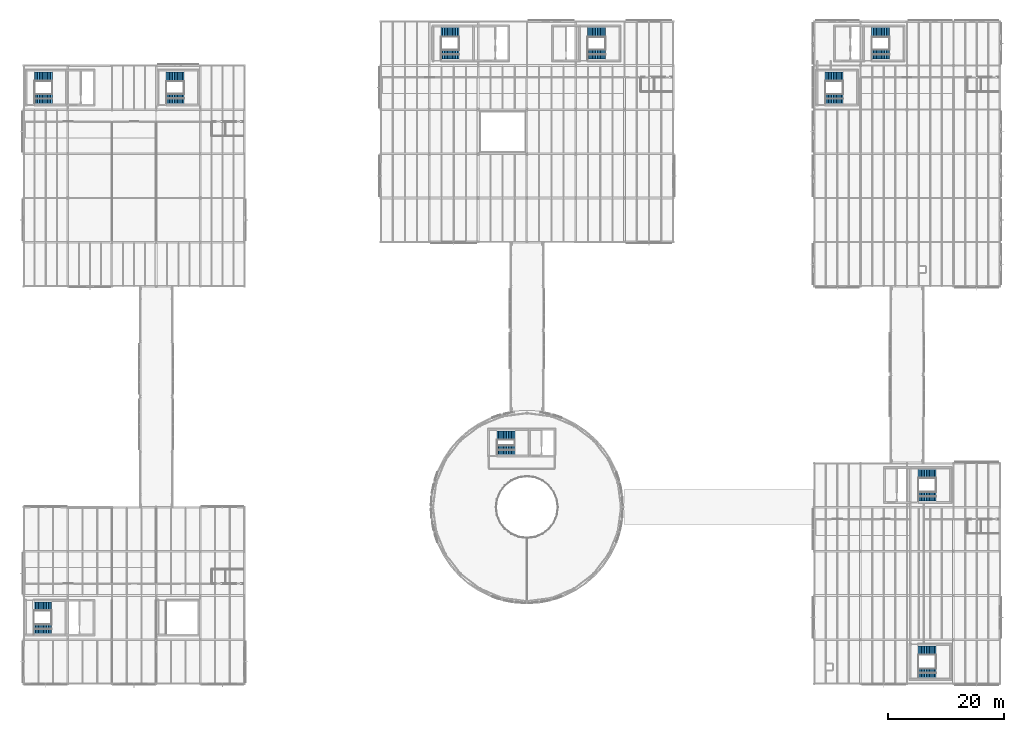
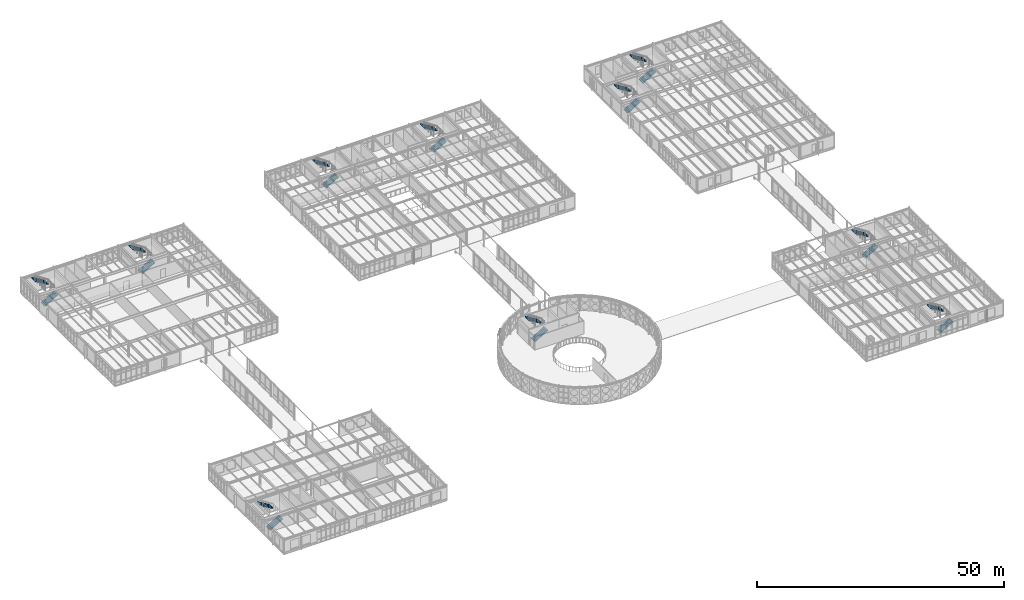
# One storey, part 170 of 189: 20 stair flights, 10 elements without a shape of their own.
"""IFC4 building model written with IfcOpenShell, lengths in metres."""

from ifc_helpers import new_model, si_unit, direction, frame, origin, place, context, subcontext, project, spatial, polyline, outline, extrude, material, type_object, element, aggregate, save


model = new_model("IFC4")

# Units and contexts
model_context = context("Model", 3, precision=1e-05, world=origin(), true_north=direction((0.0, 1.0)))
body_context = subcontext(model_context, "Body", "Model", "MODEL_VIEW")
ifc_project = project(units=[si_unit("LENGTHUNIT", "METRE"), si_unit("AREAUNIT", "SQUARE_METRE"), si_unit("VOLUMEUNIT", "CUBIC_METRE"), si_unit("PLANEANGLEUNIT", "RADIAN"), si_unit("MASSUNIT", "GRAM", prefix="KILO")], contexts=[model_context])

# Site, building, storey
site_placement = place(None, origin())
site = spatial("IfcSite", under=ifc_project, at=site_placement, CompositionType="ELEMENT")
building_placement = place(site_placement, origin())
building = spatial("IfcBuilding", under=site, at=building_placement, Name="Montecoro Central Library", CompositionType="ELEMENT")
storey_placement = place(building_placement, frame((0.0, 0.0, 9.179931640625)))
storey = spatial("IfcBuildingStorey", under=building, at=storey_placement, Name="L02", CompositionType="ELEMENT", Elevation=9.179931640625)

# Stair, stair flights
ifc_material = material(Name="Concrete C35/45", Category="concrete")
stair_type_1 = type_object("IfcStairType", Name="STR-RET-150", PredefinedType="HALF_TURN_STAIR", material=ifc_material)
stair_1_placement = place(storey_placement, origin())
stair_1 = element("IfcStair", 1, at=stair_1_placement, inside=storey, type_object=stair_type_1, Name="C1-L02-STR", PredefinedType="HALF_TURN_STAIR")
stair_flight_type_1 = type_object("IfcStairFlightType", Name="SFL-01", PredefinedType="STRAIGHT", material=ifc_material)
stair_flight_1_placement = place(storey_placement, frame((86.419921875, 45.25, 0.0), z_axis=(0.0, 0.0, 1.0), x_axis=(1.0, 0.0, 0.0)))
stair_flight_1 = element("IfcStairFlight", 2, at=stair_flight_1_placement, type_object=stair_flight_type_1, Name="ST-01 flight 1", NumberOfRisers=12, NumberOfTreads=11, PredefinedType="STRAIGHT", RiserHeight=0.17, TreadLength=0.28, context=body_context, shape_type="SweptSolid", body=[
    extrude(outline(polyline([(0.0, 0.0), (0.0, 0.169921875), (0.280029296875, 0.169921875), (0.280029296875, 0.340087890625), (0.56005859375, 0.340087890625), (0.56005859375, 0.510009765625), (0.840087890625, 0.510009765625), (0.840087890625, 0.679931640625), (1.1201171875, 0.679931640625), (1.1201171875, 0.85009765625), (1.39990234375, 0.85009765625), (1.39990234375, 1.02001953125), (1.679931640625, 1.02001953125), (1.679931640625, 1.18994140625), (1.9599609375, 1.18994140625), (1.9599609375, 1.360107421875), (2.239990234375, 1.360107421875), (2.239990234375, 1.530029296875), (2.52001953125, 1.530029296875), (2.52001953125, 1.699951171875), (2.800048828125, 1.699951171875), (2.800048828125, 1.8701171875), (3.080078125, 1.8701171875), (3.080078125, 2.0400390625), (3.080078125, 1.682861328125), (0.30810546875, 0.0), (0.0, 0.0)])), frame((0.0, 0.75, 0.0), z_axis=(0.0, -1.0, 0.0), x_axis=(1.0, 0.0, 0.0)), (0.0, 0.0, 1.0), 1.5),
])
stair_flight_2_placement = place(storey_placement, frame((89.5, 47.75, 2.0400390625), z_axis=(0.0, 0.0, 1.0), x_axis=(-1.0, 0.0, 0.0)))
stair_flight_2 = element("IfcStairFlight", 3, at=stair_flight_2_placement, type_object=stair_flight_type_1, Name="ST-01 flight 2", NumberOfRisers=12, NumberOfTreads=11, PredefinedType="STRAIGHT", RiserHeight=0.17, TreadLength=0.28, context=body_context, shape_type="SweptSolid", body=[
    extrude(outline(polyline([(0.0, 0.0), (0.0, 0.169921875), (0.280029296875, 0.169921875), (0.280029296875, 0.340087890625), (0.56005859375, 0.340087890625), (0.56005859375, 0.510009765625), (0.840087890625, 0.510009765625), (0.840087890625, 0.679931640625), (1.1201171875, 0.679931640625), (1.1201171875, 0.85009765625), (1.39990234375, 0.85009765625), (1.39990234375, 1.02001953125), (1.679931640625, 1.02001953125), (1.679931640625, 1.18994140625), (1.9599609375, 1.18994140625), (1.9599609375, 1.360107421875), (2.239990234375, 1.360107421875), (2.239990234375, 1.530029296875), (2.52001953125, 1.530029296875), (2.52001953125, 1.699951171875), (2.800048828125, 1.699951171875), (2.800048828125, 1.8701171875), (3.080078125, 1.8701171875), (3.080078125, 2.0400390625), (3.080078125, 1.682861328125), (0.30810546875, 0.0), (0.0, 0.0)])), frame((0.0, 0.75, 0.0), z_axis=(0.0, -1.0, 0.0), x_axis=(1.0, 0.0, 0.0)), (0.0, 0.0, 1.0), 1.5),
])
aggregate(stair_1, [stair_flight_1, stair_flight_2])

stair_2_placement = place(storey_placement, origin())
stair_2 = element("IfcStair", 4, at=stair_2_placement, inside=storey, type_object=stair_type_1, Name="C4-L02-STR", PredefinedType="HALF_TURN_STAIR")
stair_flight_3_placement = place(storey_placement, frame((6.719970703125, 14.449951171875, 0.0), z_axis=(0.0, 0.0, 1.0), x_axis=(1.0, 0.0, 0.0)))
stair_flight_3 = element("IfcStairFlight", 5, at=stair_flight_3_placement, type_object=stair_flight_type_1, Name="ST-04 flight 1", NumberOfRisers=12, NumberOfTreads=11, PredefinedType="STRAIGHT", RiserHeight=0.17, TreadLength=0.28, context=body_context, shape_type="SweptSolid", body=[
    extrude(outline(polyline([(0.0, 0.0), (0.0, 0.169921875), (0.280029296875, 0.169921875), (0.280029296875, 0.340087890625), (0.56005859375, 0.340087890625), (0.56005859375, 0.510009765625), (0.840087890625, 0.510009765625), (0.840087890625, 0.679931640625), (1.1201171875, 0.679931640625), (1.1201171875, 0.85009765625), (1.39990234375, 0.85009765625), (1.39990234375, 1.02001953125), (1.679931640625, 1.02001953125), (1.679931640625, 1.18994140625), (1.9599609375, 1.18994140625), (1.9599609375, 1.360107421875), (2.239990234375, 1.360107421875), (2.239990234375, 1.530029296875), (2.52001953125, 1.530029296875), (2.52001953125, 1.699951171875), (2.800048828125, 1.699951171875), (2.800048828125, 1.8701171875), (3.080078125, 1.8701171875), (3.080078125, 2.0400390625), (3.080078125, 1.682861328125), (0.30810546875, 0.0), (0.0, 0.0)])), frame((0.0, 0.75, 0.0), z_axis=(0.0, -1.0, 0.0), x_axis=(1.0, 0.0, 0.0)), (0.0, 0.0, 1.0), 1.5),
])
stair_flight_4_placement = place(storey_placement, frame((9.800048828125, 18.35009765625, 2.0400390625), z_axis=(0.0, 0.0, 1.0), x_axis=(-1.0, 0.0, 0.0)))
stair_flight_4 = element("IfcStairFlight", 6, at=stair_flight_4_placement, type_object=stair_flight_type_1, Name="ST-04 flight 2", NumberOfRisers=12, NumberOfTreads=11, PredefinedType="STRAIGHT", RiserHeight=0.17, TreadLength=0.28, context=body_context, shape_type="SweptSolid", body=[
    extrude(outline(polyline([(0.0, 0.0), (0.0, 0.169921875), (0.280029296875, 0.169921875), (0.280029296875, 0.340087890625), (0.56005859375, 0.340087890625), (0.56005859375, 0.510009765625), (0.840087890625, 0.510009765625), (0.840087890625, 0.679931640625), (1.1201171875, 0.679931640625), (1.1201171875, 0.85009765625), (1.39990234375, 0.85009765625), (1.39990234375, 1.02001953125), (1.679931640625, 1.02001953125), (1.679931640625, 1.18994140625), (1.9599609375, 1.18994140625), (1.9599609375, 1.360107421875), (2.239990234375, 1.360107421875), (2.239990234375, 1.530029296875), (2.52001953125, 1.530029296875), (2.52001953125, 1.699951171875), (2.800048828125, 1.699951171875), (2.800048828125, 1.8701171875), (3.080078125, 1.8701171875), (3.080078125, 2.0400390625), (3.080078125, 1.682861328125), (0.30810546875, 0.0), (0.0, 0.0)])), frame((0.0, 0.75, 0.0), z_axis=(0.0, -1.0, 0.0), x_axis=(1.0, 0.0, 0.0)), (0.0, 0.0, 1.0), 1.5),
])
aggregate(stair_2, [stair_flight_3, stair_flight_4])

stair_3_placement = place(storey_placement, origin())
stair_3 = element("IfcStair", 7, at=stair_3_placement, inside=storey, type_object=stair_type_1, Name="C7-L02-STR", PredefinedType="HALF_TURN_STAIR")
stair_flight_5_placement = place(storey_placement, frame((158.919921875, 37.25, 0.0), z_axis=(0.0, 0.0, 1.0), x_axis=(1.0, 0.0, 0.0)))
stair_flight_5 = element("IfcStairFlight", 8, at=stair_flight_5_placement, type_object=stair_flight_type_1, Name="ST-07 flight 1", NumberOfRisers=12, NumberOfTreads=11, PredefinedType="STRAIGHT", RiserHeight=0.17, TreadLength=0.28, context=body_context, shape_type="SweptSolid", body=[
    extrude(outline(polyline([(0.0, 0.0), (0.0, 0.169921875), (0.280029296875, 0.169921875), (0.280029296875, 0.340087890625), (0.56005859375, 0.340087890625), (0.56005859375, 0.510009765625), (0.840087890625, 0.510009765625), (0.840087890625, 0.679931640625), (1.1201171875, 0.679931640625), (1.1201171875, 0.85009765625), (1.39990234375, 0.85009765625), (1.39990234375, 1.02001953125), (1.679931640625, 1.02001953125), (1.679931640625, 1.18994140625), (1.9599609375, 1.18994140625), (1.9599609375, 1.360107421875), (2.239990234375, 1.360107421875), (2.239990234375, 1.530029296875), (2.52001953125, 1.530029296875), (2.52001953125, 1.699951171875), (2.800048828125, 1.699951171875), (2.800048828125, 1.8701171875), (3.080078125, 1.8701171875), (3.080078125, 2.0400390625), (3.080078125, 1.682861328125), (0.30810546875, 0.0), (0.0, 0.0)])), frame((0.0, 0.75, 0.0), z_axis=(0.0, -1.0, 0.0), x_axis=(1.0, 0.0, 0.0)), (0.0, 0.0, 1.0), 1.5),
])
stair_flight_6_placement = place(storey_placement, frame((162.0, 41.14990234375, 2.0400390625), z_axis=(0.0, 0.0, 1.0), x_axis=(-1.0, 0.0, 0.0)))
stair_flight_6 = element("IfcStairFlight", 9, at=stair_flight_6_placement, type_object=stair_flight_type_1, Name="ST-07 flight 2", NumberOfRisers=12, NumberOfTreads=11, PredefinedType="STRAIGHT", RiserHeight=0.17, TreadLength=0.28, context=body_context, shape_type="SweptSolid", body=[
    extrude(outline(polyline([(0.0, 0.0), (0.0, 0.169921875), (0.280029296875, 0.169921875), (0.280029296875, 0.340087890625), (0.56005859375, 0.340087890625), (0.56005859375, 0.510009765625), (0.840087890625, 0.510009765625), (0.840087890625, 0.679931640625), (1.1201171875, 0.679931640625), (1.1201171875, 0.85009765625), (1.39990234375, 0.85009765625), (1.39990234375, 1.02001953125), (1.679931640625, 1.02001953125), (1.679931640625, 1.18994140625), (1.9599609375, 1.18994140625), (1.9599609375, 1.360107421875), (2.239990234375, 1.360107421875), (2.239990234375, 1.530029296875), (2.52001953125, 1.530029296875), (2.52001953125, 1.699951171875), (2.800048828125, 1.699951171875), (2.800048828125, 1.8701171875), (3.080078125, 1.8701171875), (3.080078125, 2.0400390625), (3.080078125, 1.682861328125), (0.30810546875, 0.0), (0.0, 0.0)])), frame((0.0, 0.75, 0.0), z_axis=(0.0, -1.0, 0.0), x_axis=(1.0, 0.0, 0.0)), (0.0, 0.0, 1.0), 1.5),
])
aggregate(stair_3, [stair_flight_5, stair_flight_6])

stair_4_placement = place(storey_placement, origin())
stair_4 = element("IfcStair", 10, at=stair_4_placement, inside=storey, type_object=stair_type_1, Name="C10-L02-STR", PredefinedType="HALF_TURN_STAIR")
stair_flight_7_placement = place(storey_placement, frame((158.919921875, 6.85009765625, 0.0), z_axis=(0.0, 0.0, 1.0), x_axis=(1.0, 0.0, 0.0)))
stair_flight_7 = element("IfcStairFlight", 11, at=stair_flight_7_placement, type_object=stair_flight_type_1, Name="ST-10 flight 1", NumberOfRisers=12, NumberOfTreads=11, PredefinedType="STRAIGHT", RiserHeight=0.17, TreadLength=0.28, context=body_context, shape_type="SweptSolid", body=[
    extrude(outline(polyline([(0.0, 0.0), (0.0, 0.169921875), (0.280029296875, 0.169921875), (0.280029296875, 0.340087890625), (0.56005859375, 0.340087890625), (0.56005859375, 0.510009765625), (0.840087890625, 0.510009765625), (0.840087890625, 0.679931640625), (1.1201171875, 0.679931640625), (1.1201171875, 0.85009765625), (1.39990234375, 0.85009765625), (1.39990234375, 1.02001953125), (1.679931640625, 1.02001953125), (1.679931640625, 1.18994140625), (1.9599609375, 1.18994140625), (1.9599609375, 1.360107421875), (2.239990234375, 1.360107421875), (2.239990234375, 1.530029296875), (2.52001953125, 1.530029296875), (2.52001953125, 1.699951171875), (2.800048828125, 1.699951171875), (2.800048828125, 1.8701171875), (3.080078125, 1.8701171875), (3.080078125, 2.0400390625), (3.080078125, 1.682861328125), (0.30810546875, 0.0), (0.0, 0.0)])), frame((0.0, 0.75, 0.0), z_axis=(0.0, -1.0, 0.0), x_axis=(1.0, 0.0, 0.0)), (0.0, 0.0, 1.0), 1.5),
])
stair_flight_8_placement = place(storey_placement, frame((162.0, 10.75, 2.0400390625), z_axis=(0.0, 0.0, 1.0), x_axis=(-1.0, 0.0, 0.0)))
stair_flight_8 = element("IfcStairFlight", 12, at=stair_flight_8_placement, type_object=stair_flight_type_1, Name="ST-10 flight 2", NumberOfRisers=12, NumberOfTreads=11, PredefinedType="STRAIGHT", RiserHeight=0.17, TreadLength=0.28, context=body_context, shape_type="SweptSolid", body=[
    extrude(outline(polyline([(0.0, 0.0), (0.0, 0.169921875), (0.280029296875, 0.169921875), (0.280029296875, 0.340087890625), (0.56005859375, 0.340087890625), (0.56005859375, 0.510009765625), (0.840087890625, 0.510009765625), (0.840087890625, 0.679931640625), (1.1201171875, 0.679931640625), (1.1201171875, 0.85009765625), (1.39990234375, 0.85009765625), (1.39990234375, 1.02001953125), (1.679931640625, 1.02001953125), (1.679931640625, 1.18994140625), (1.9599609375, 1.18994140625), (1.9599609375, 1.360107421875), (2.239990234375, 1.360107421875), (2.239990234375, 1.530029296875), (2.52001953125, 1.530029296875), (2.52001953125, 1.699951171875), (2.800048828125, 1.699951171875), (2.800048828125, 1.8701171875), (3.080078125, 1.8701171875), (3.080078125, 2.0400390625), (3.080078125, 1.682861328125), (0.30810546875, 0.0), (0.0, 0.0)])), frame((0.0, 0.75, 0.0), z_axis=(0.0, -1.0, 0.0), x_axis=(1.0, 0.0, 0.0)), (0.0, 0.0, 1.0), 1.5),
])
aggregate(stair_4, [stair_flight_7, stair_flight_8])

stair_type_2 = type_object("IfcStairType", Name="STR-RET-155", PredefinedType="HALF_TURN_STAIR", material=ifc_material)
stair_5_placement = place(storey_placement, origin())
stair_5 = element("IfcStair", 13, at=stair_5_placement, inside=storey, type_object=stair_type_2, Name="C2-L02-STR", PredefinedType="HALF_TURN_STAIR")
stair_flight_type_2 = type_object("IfcStairFlightType", Name="SFL-02", PredefinedType="STRAIGHT", material=ifc_material)
stair_flight_9_placement = place(storey_placement, frame((76.820068359375, 113.27490234375, 0.0), z_axis=(0.0, 0.0, 1.0), x_axis=(1.0, 0.0, 0.0)))
stair_flight_9 = element("IfcStairFlight", 14, at=stair_flight_9_placement, type_object=stair_flight_type_2, Name="ST-02 flight 1", NumberOfRisers=12, NumberOfTreads=11, PredefinedType="STRAIGHT", RiserHeight=0.17, TreadLength=0.28, context=body_context, shape_type="SweptSolid", body=[
    extrude(outline(polyline([(0.0, 0.0), (0.0, 0.169921875), (0.280029296875, 0.169921875), (0.280029296875, 0.340087890625), (0.56005859375, 0.340087890625), (0.56005859375, 0.510009765625), (0.840087890625, 0.510009765625), (0.840087890625, 0.679931640625), (1.1201171875, 0.679931640625), (1.1201171875, 0.85009765625), (1.39990234375, 0.85009765625), (1.39990234375, 1.02001953125), (1.679931640625, 1.02001953125), (1.679931640625, 1.18994140625), (1.9599609375, 1.18994140625), (1.9599609375, 1.360107421875), (2.239990234375, 1.360107421875), (2.239990234375, 1.530029296875), (2.52001953125, 1.530029296875), (2.52001953125, 1.699951171875), (2.800048828125, 1.699951171875), (2.800048828125, 1.8701171875), (3.080078125, 1.8701171875), (3.080078125, 2.0400390625), (3.080078125, 1.682861328125), (0.30810546875, 0.0), (0.0, 0.0)])), frame((0.0, 0.77490234375, 0.0), z_axis=(0.0, -1.0, 0.0), x_axis=(1.0, 0.0, 0.0)), (0.0, 0.0, 1.0), 1.550048828125),
])
stair_flight_10_placement = place(storey_placement, frame((79.89990234375, 117.125, 2.0400390625), z_axis=(0.0, 0.0, 1.0), x_axis=(-1.0, 0.0, 0.0)))
stair_flight_10 = element("IfcStairFlight", 15, at=stair_flight_10_placement, type_object=stair_flight_type_2, Name="ST-02 flight 2", NumberOfRisers=12, NumberOfTreads=11, PredefinedType="STRAIGHT", RiserHeight=0.17, TreadLength=0.28, context=body_context, shape_type="SweptSolid", body=[
    extrude(outline(polyline([(0.0, 0.0), (0.0, 0.169921875), (0.280029296875, 0.169921875), (0.280029296875, 0.340087890625), (0.56005859375, 0.340087890625), (0.56005859375, 0.510009765625), (0.840087890625, 0.510009765625), (0.840087890625, 0.679931640625), (1.1201171875, 0.679931640625), (1.1201171875, 0.85009765625), (1.39990234375, 0.85009765625), (1.39990234375, 1.02001953125), (1.679931640625, 1.02001953125), (1.679931640625, 1.18994140625), (1.9599609375, 1.18994140625), (1.9599609375, 1.360107421875), (2.239990234375, 1.360107421875), (2.239990234375, 1.530029296875), (2.52001953125, 1.530029296875), (2.52001953125, 1.699951171875), (2.800048828125, 1.699951171875), (2.800048828125, 1.8701171875), (3.080078125, 1.8701171875), (3.080078125, 2.0400390625), (3.080078125, 1.682861328125), (0.30810546875, 0.0), (0.0, 0.0)])), frame((0.0, 0.77490234375, 0.0), z_axis=(0.0, -1.0, 0.0), x_axis=(1.0, 0.0, 0.0)), (0.0, 0.0, 1.0), 1.550048828125),
])
aggregate(stair_5, [stair_flight_9, stair_flight_10])

stair_6_placement = place(storey_placement, origin())
stair_6 = element("IfcStair", 16, at=stair_6_placement, inside=storey, type_object=stair_type_2, Name="C5-L02-STR", PredefinedType="HALF_TURN_STAIR")
stair_flight_11_placement = place(storey_placement, frame((6.840087890625, 105.675048828125, 0.0), z_axis=(0.0, 0.0, 1.0), x_axis=(1.0, 0.0, 0.0)))
stair_flight_11 = element("IfcStairFlight", 17, at=stair_flight_11_placement, type_object=stair_flight_type_2, Name="ST-05 flight 1", NumberOfRisers=12, NumberOfTreads=11, PredefinedType="STRAIGHT", RiserHeight=0.17, TreadLength=0.28, context=body_context, shape_type="SweptSolid", body=[
    extrude(outline(polyline([(0.0, 0.0), (0.0, 0.169921875), (0.280029296875, 0.169921875), (0.280029296875, 0.340087890625), (0.56005859375, 0.340087890625), (0.56005859375, 0.510009765625), (0.840087890625, 0.510009765625), (0.840087890625, 0.679931640625), (1.1201171875, 0.679931640625), (1.1201171875, 0.85009765625), (1.39990234375, 0.85009765625), (1.39990234375, 1.02001953125), (1.679931640625, 1.02001953125), (1.679931640625, 1.18994140625), (1.9599609375, 1.18994140625), (1.9599609375, 1.360107421875), (2.239990234375, 1.360107421875), (2.239990234375, 1.530029296875), (2.52001953125, 1.530029296875), (2.52001953125, 1.699951171875), (2.800048828125, 1.699951171875), (2.800048828125, 1.8701171875), (3.080078125, 1.8701171875), (3.080078125, 2.0400390625), (3.080078125, 1.682861328125), (0.30810546875, 0.0), (0.0, 0.0)])), frame((0.0, 0.77490234375, 0.0), z_axis=(0.0, -1.0, 0.0), x_axis=(1.0, 0.0, 0.0)), (0.0, 0.0, 1.0), 1.550048828125),
])
stair_flight_12_placement = place(storey_placement, frame((9.919921875, 109.52490234375, 2.0400390625), z_axis=(0.0, 0.0, 1.0), x_axis=(-1.0, 0.0, 0.0)))
stair_flight_12 = element("IfcStairFlight", 18, at=stair_flight_12_placement, type_object=stair_flight_type_2, Name="ST-05 flight 2", NumberOfRisers=12, NumberOfTreads=11, PredefinedType="STRAIGHT", RiserHeight=0.17, TreadLength=0.28, context=body_context, shape_type="SweptSolid", body=[
    extrude(outline(polyline([(0.0, 0.0), (0.0, 0.169921875), (0.280029296875, 0.169921875), (0.280029296875, 0.340087890625), (0.56005859375, 0.340087890625), (0.56005859375, 0.510009765625), (0.840087890625, 0.510009765625), (0.840087890625, 0.679931640625), (1.1201171875, 0.679931640625), (1.1201171875, 0.85009765625), (1.39990234375, 0.85009765625), (1.39990234375, 1.02001953125), (1.679931640625, 1.02001953125), (1.679931640625, 1.18994140625), (1.9599609375, 1.18994140625), (1.9599609375, 1.360107421875), (2.239990234375, 1.360107421875), (2.239990234375, 1.530029296875), (2.52001953125, 1.530029296875), (2.52001953125, 1.699951171875), (2.800048828125, 1.699951171875), (2.800048828125, 1.8701171875), (3.080078125, 1.8701171875), (3.080078125, 2.0400390625), (3.080078125, 1.682861328125), (0.30810546875, 0.0), (0.0, 0.0)])), frame((0.0, 0.77490234375, 0.0), z_axis=(0.0, -1.0, 0.0), x_axis=(1.0, 0.0, 0.0)), (0.0, 0.0, 1.0), 1.550048828125),
])
aggregate(stair_6, [stair_flight_11, stair_flight_12])

stair_7_placement = place(storey_placement, origin())
stair_7 = element("IfcStair", 19, at=stair_7_placement, inside=storey, type_object=stair_type_2, Name="C8-L02-STR", PredefinedType="HALF_TURN_STAIR")
stair_flight_13_placement = place(storey_placement, frame((142.919921875, 105.675048828125, 0.0), z_axis=(0.0, 0.0, 1.0), x_axis=(1.0, 0.0, 0.0)))
stair_flight_13 = element("IfcStairFlight", 20, at=stair_flight_13_placement, type_object=stair_flight_type_2, Name="ST-08 flight 1", NumberOfRisers=12, NumberOfTreads=11, PredefinedType="STRAIGHT", RiserHeight=0.17, TreadLength=0.28, context=body_context, shape_type="SweptSolid", body=[
    extrude(outline(polyline([(0.0, 0.0), (0.0, 0.169921875), (0.280029296875, 0.169921875), (0.280029296875, 0.340087890625), (0.56005859375, 0.340087890625), (0.56005859375, 0.510009765625), (0.840087890625, 0.510009765625), (0.840087890625, 0.679931640625), (1.1201171875, 0.679931640625), (1.1201171875, 0.85009765625), (1.39990234375, 0.85009765625), (1.39990234375, 1.02001953125), (1.679931640625, 1.02001953125), (1.679931640625, 1.18994140625), (1.9599609375, 1.18994140625), (1.9599609375, 1.360107421875), (2.239990234375, 1.360107421875), (2.239990234375, 1.530029296875), (2.52001953125, 1.530029296875), (2.52001953125, 1.699951171875), (2.800048828125, 1.699951171875), (2.800048828125, 1.8701171875), (3.080078125, 1.8701171875), (3.080078125, 2.0400390625), (3.080078125, 1.682861328125), (0.30810546875, 0.0), (0.0, 0.0)])), frame((0.0, 0.77490234375, 0.0), z_axis=(0.0, -1.0, 0.0), x_axis=(1.0, 0.0, 0.0)), (0.0, 0.0, 1.0), 1.550048828125),
])
stair_flight_14_placement = place(storey_placement, frame((146.0, 109.52490234375, 2.0400390625), z_axis=(0.0, 0.0, 1.0), x_axis=(-1.0, 0.0, 0.0)))
stair_flight_14 = element("IfcStairFlight", 21, at=stair_flight_14_placement, type_object=stair_flight_type_2, Name="ST-08 flight 2", NumberOfRisers=12, NumberOfTreads=11, PredefinedType="STRAIGHT", RiserHeight=0.17, TreadLength=0.28, context=body_context, shape_type="SweptSolid", body=[
    extrude(outline(polyline([(0.0, 0.0), (0.0, 0.169921875), (0.280029296875, 0.169921875), (0.280029296875, 0.340087890625), (0.56005859375, 0.340087890625), (0.56005859375, 0.510009765625), (0.840087890625, 0.510009765625), (0.840087890625, 0.679931640625), (1.1201171875, 0.679931640625), (1.1201171875, 0.85009765625), (1.39990234375, 0.85009765625), (1.39990234375, 1.02001953125), (1.679931640625, 1.02001953125), (1.679931640625, 1.18994140625), (1.9599609375, 1.18994140625), (1.9599609375, 1.360107421875), (2.239990234375, 1.360107421875), (2.239990234375, 1.530029296875), (2.52001953125, 1.530029296875), (2.52001953125, 1.699951171875), (2.800048828125, 1.699951171875), (2.800048828125, 1.8701171875), (3.080078125, 1.8701171875), (3.080078125, 2.0400390625), (3.080078125, 1.682861328125), (0.30810546875, 0.0), (0.0, 0.0)])), frame((0.0, 0.77490234375, 0.0), z_axis=(0.0, -1.0, 0.0), x_axis=(1.0, 0.0, 0.0)), (0.0, 0.0, 1.0), 1.550048828125),
])
aggregate(stair_7, [stair_flight_13, stair_flight_14])

stair_type_3 = type_object("IfcStairType", Name="STR-RET-160", PredefinedType="HALF_TURN_STAIR", material=ifc_material)
stair_8_placement = place(storey_placement, origin())
stair_8 = element("IfcStair", 22, at=stair_8_placement, inside=storey, type_object=stair_type_3, Name="C3-L02-STR", PredefinedType="HALF_TURN_STAIR")
stair_flight_type_3 = type_object("IfcStairFlightType", Name="SFL-03", PredefinedType="STRAIGHT", material=ifc_material)
stair_flight_15_placement = place(storey_placement, frame((102.02001953125, 113.300048828125, 0.0), z_axis=(0.0, 0.0, 1.0), x_axis=(1.0, 0.0, 0.0)))
stair_flight_15 = element("IfcStairFlight", 23, at=stair_flight_15_placement, type_object=stair_flight_type_3, Name="ST-03 flight 1", NumberOfRisers=12, NumberOfTreads=11, PredefinedType="STRAIGHT", RiserHeight=0.17, TreadLength=0.28, context=body_context, shape_type="SweptSolid", body=[
    extrude(outline(polyline([(0.0, 0.0), (0.0, 0.169921875), (0.280029296875, 0.169921875), (0.280029296875, 0.340087890625), (0.56005859375, 0.340087890625), (0.56005859375, 0.510009765625), (0.840087890625, 0.510009765625), (0.840087890625, 0.679931640625), (1.1201171875, 0.679931640625), (1.1201171875, 0.85009765625), (1.39990234375, 0.85009765625), (1.39990234375, 1.02001953125), (1.679931640625, 1.02001953125), (1.679931640625, 1.18994140625), (1.9599609375, 1.18994140625), (1.9599609375, 1.360107421875), (2.239990234375, 1.360107421875), (2.239990234375, 1.530029296875), (2.52001953125, 1.530029296875), (2.52001953125, 1.699951171875), (2.800048828125, 1.699951171875), (2.800048828125, 1.8701171875), (3.080078125, 1.8701171875), (3.080078125, 2.0400390625), (3.080078125, 1.682861328125), (0.30810546875, 0.0), (0.0, 0.0)])), frame((0.0, 0.800048828125, 0.0), z_axis=(0.0, -1.0, 0.0), x_axis=(1.0, 0.0, 0.0)), (0.0, 0.0, 1.0), 1.60009765625),
])
stair_flight_16_placement = place(storey_placement, frame((105.10009765625, 117.10009765625, 2.0400390625), z_axis=(0.0, 0.0, 1.0), x_axis=(-1.0, 0.0, 0.0)))
stair_flight_16 = element("IfcStairFlight", 24, at=stair_flight_16_placement, type_object=stair_flight_type_3, Name="ST-03 flight 2", NumberOfRisers=12, NumberOfTreads=11, PredefinedType="STRAIGHT", RiserHeight=0.17, TreadLength=0.28, context=body_context, shape_type="SweptSolid", body=[
    extrude(outline(polyline([(0.0, 0.0), (0.0, 0.169921875), (0.280029296875, 0.169921875), (0.280029296875, 0.340087890625), (0.56005859375, 0.340087890625), (0.56005859375, 0.510009765625), (0.840087890625, 0.510009765625), (0.840087890625, 0.679931640625), (1.1201171875, 0.679931640625), (1.1201171875, 0.85009765625), (1.39990234375, 0.85009765625), (1.39990234375, 1.02001953125), (1.679931640625, 1.02001953125), (1.679931640625, 1.18994140625), (1.9599609375, 1.18994140625), (1.9599609375, 1.360107421875), (2.239990234375, 1.360107421875), (2.239990234375, 1.530029296875), (2.52001953125, 1.530029296875), (2.52001953125, 1.699951171875), (2.800048828125, 1.699951171875), (2.800048828125, 1.8701171875), (3.080078125, 1.8701171875), (3.080078125, 2.0400390625), (3.080078125, 1.682861328125), (0.30810546875, 0.0), (0.0, 0.0)])), frame((0.0, 0.800048828125, 0.0), z_axis=(0.0, -1.0, 0.0), x_axis=(1.0, 0.0, 0.0)), (0.0, 0.0, 1.0), 1.60009765625),
])
aggregate(stair_8, [stair_flight_15, stair_flight_16])

stair_9_placement = place(storey_placement, origin())
stair_9 = element("IfcStair", 25, at=stair_9_placement, inside=storey, type_object=stair_type_3, Name="C6-L02-STR", PredefinedType="HALF_TURN_STAIR")
stair_flight_17_placement = place(storey_placement, frame((150.919921875, 113.300048828125, 0.0), z_axis=(0.0, 0.0, 1.0), x_axis=(1.0, 0.0, 0.0)))
stair_flight_17 = element("IfcStairFlight", 26, at=stair_flight_17_placement, type_object=stair_flight_type_3, Name="ST-06 flight 1", NumberOfRisers=12, NumberOfTreads=11, PredefinedType="STRAIGHT", RiserHeight=0.17, TreadLength=0.28, context=body_context, shape_type="SweptSolid", body=[
    extrude(outline(polyline([(0.0, 0.0), (0.0, 0.169921875), (0.280029296875, 0.169921875), (0.280029296875, 0.340087890625), (0.56005859375, 0.340087890625), (0.56005859375, 0.510009765625), (0.840087890625, 0.510009765625), (0.840087890625, 0.679931640625), (1.1201171875, 0.679931640625), (1.1201171875, 0.85009765625), (1.39990234375, 0.85009765625), (1.39990234375, 1.02001953125), (1.679931640625, 1.02001953125), (1.679931640625, 1.18994140625), (1.9599609375, 1.18994140625), (1.9599609375, 1.360107421875), (2.239990234375, 1.360107421875), (2.239990234375, 1.530029296875), (2.52001953125, 1.530029296875), (2.52001953125, 1.699951171875), (2.800048828125, 1.699951171875), (2.800048828125, 1.8701171875), (3.080078125, 1.8701171875), (3.080078125, 2.0400390625), (3.080078125, 1.682861328125), (0.30810546875, 0.0), (0.0, 0.0)])), frame((0.0, 0.800048828125, 0.0), z_axis=(0.0, -1.0, 0.0), x_axis=(1.0, 0.0, 0.0)), (0.0, 0.0, 1.0), 1.60009765625),
])
stair_flight_18_placement = place(storey_placement, frame((154.0, 117.10009765625, 2.0400390625), z_axis=(0.0, 0.0, 1.0), x_axis=(-1.0, 0.0, 0.0)))
stair_flight_18 = element("IfcStairFlight", 27, at=stair_flight_18_placement, type_object=stair_flight_type_3, Name="ST-06 flight 2", NumberOfRisers=12, NumberOfTreads=11, PredefinedType="STRAIGHT", RiserHeight=0.17, TreadLength=0.28, context=body_context, shape_type="SweptSolid", body=[
    extrude(outline(polyline([(0.0, 0.0), (0.0, 0.169921875), (0.280029296875, 0.169921875), (0.280029296875, 0.340087890625), (0.56005859375, 0.340087890625), (0.56005859375, 0.510009765625), (0.840087890625, 0.510009765625), (0.840087890625, 0.679931640625), (1.1201171875, 0.679931640625), (1.1201171875, 0.85009765625), (1.39990234375, 0.85009765625), (1.39990234375, 1.02001953125), (1.679931640625, 1.02001953125), (1.679931640625, 1.18994140625), (1.9599609375, 1.18994140625), (1.9599609375, 1.360107421875), (2.239990234375, 1.360107421875), (2.239990234375, 1.530029296875), (2.52001953125, 1.530029296875), (2.52001953125, 1.699951171875), (2.800048828125, 1.699951171875), (2.800048828125, 1.8701171875), (3.080078125, 1.8701171875), (3.080078125, 2.0400390625), (3.080078125, 1.682861328125), (0.30810546875, 0.0), (0.0, 0.0)])), frame((0.0, 0.800048828125, 0.0), z_axis=(0.0, -1.0, 0.0), x_axis=(1.0, 0.0, 0.0)), (0.0, 0.0, 1.0), 1.60009765625),
])
aggregate(stair_9, [stair_flight_17, stair_flight_18])

stair_10_placement = place(storey_placement, origin())
stair_10 = element("IfcStair", 28, at=stair_10_placement, inside=storey, type_object=stair_type_3, Name="C9-L02-STR", PredefinedType="HALF_TURN_STAIR")
stair_flight_19_placement = place(storey_placement, frame((29.52001953125, 105.699951171875, 0.0), z_axis=(0.0, 0.0, 1.0), x_axis=(1.0, 0.0, 0.0)))
stair_flight_19 = element("IfcStairFlight", 29, at=stair_flight_19_placement, type_object=stair_flight_type_3, Name="ST-09 flight 1", NumberOfRisers=12, NumberOfTreads=11, PredefinedType="STRAIGHT", RiserHeight=0.17, TreadLength=0.28, context=body_context, shape_type="SweptSolid", body=[
    extrude(outline(polyline([(0.0, 0.0), (0.0, 0.169921875), (0.280029296875, 0.169921875), (0.280029296875, 0.340087890625), (0.56005859375, 0.340087890625), (0.56005859375, 0.510009765625), (0.840087890625, 0.510009765625), (0.840087890625, 0.679931640625), (1.1201171875, 0.679931640625), (1.1201171875, 0.85009765625), (1.39990234375, 0.85009765625), (1.39990234375, 1.02001953125), (1.679931640625, 1.02001953125), (1.679931640625, 1.18994140625), (1.9599609375, 1.18994140625), (1.9599609375, 1.360107421875), (2.239990234375, 1.360107421875), (2.239990234375, 1.530029296875), (2.52001953125, 1.530029296875), (2.52001953125, 1.699951171875), (2.800048828125, 1.699951171875), (2.800048828125, 1.8701171875), (3.080078125, 1.8701171875), (3.080078125, 2.0400390625), (3.080078125, 1.682861328125), (0.30810546875, 0.0), (0.0, 0.0)])), frame((0.0, 0.800048828125, 0.0), z_axis=(0.0, -1.0, 0.0), x_axis=(1.0, 0.0, 0.0)), (0.0, 0.0, 1.0), 1.60009765625),
])
stair_flight_20_placement = place(storey_placement, frame((32.60009765625, 109.5, 2.0400390625), z_axis=(0.0, 0.0, 1.0), x_axis=(-1.0, 0.0, 0.0)))
stair_flight_20 = element("IfcStairFlight", 30, at=stair_flight_20_placement, type_object=stair_flight_type_3, Name="ST-09 flight 2", NumberOfRisers=12, NumberOfTreads=11, PredefinedType="STRAIGHT", RiserHeight=0.17, TreadLength=0.28, context=body_context, shape_type="SweptSolid", body=[
    extrude(outline(polyline([(0.0, 0.0), (0.0, 0.169921875), (0.280029296875, 0.169921875), (0.280029296875, 0.340087890625), (0.56005859375, 0.340087890625), (0.56005859375, 0.510009765625), (0.840087890625, 0.510009765625), (0.840087890625, 0.679931640625), (1.1201171875, 0.679931640625), (1.1201171875, 0.85009765625), (1.39990234375, 0.85009765625), (1.39990234375, 1.02001953125), (1.679931640625, 1.02001953125), (1.679931640625, 1.18994140625), (1.9599609375, 1.18994140625), (1.9599609375, 1.360107421875), (2.239990234375, 1.360107421875), (2.239990234375, 1.530029296875), (2.52001953125, 1.530029296875), (2.52001953125, 1.699951171875), (2.800048828125, 1.699951171875), (2.800048828125, 1.8701171875), (3.080078125, 1.8701171875), (3.080078125, 2.0400390625), (3.080078125, 1.682861328125), (0.30810546875, 0.0), (0.0, 0.0)])), frame((0.0, 0.800048828125, 0.0), z_axis=(0.0, -1.0, 0.0), x_axis=(1.0, 0.0, 0.0)), (0.0, 0.0, 1.0), 1.60009765625),
])
aggregate(stair_10, [stair_flight_19, stair_flight_20])

save(model, "model.ifc")
